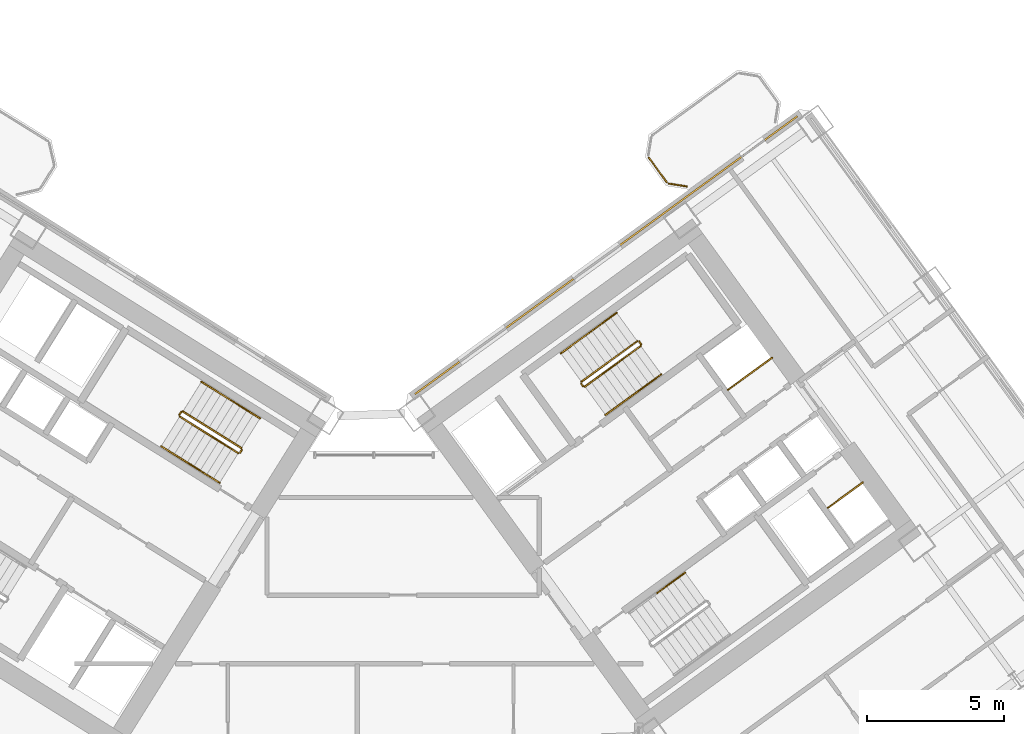
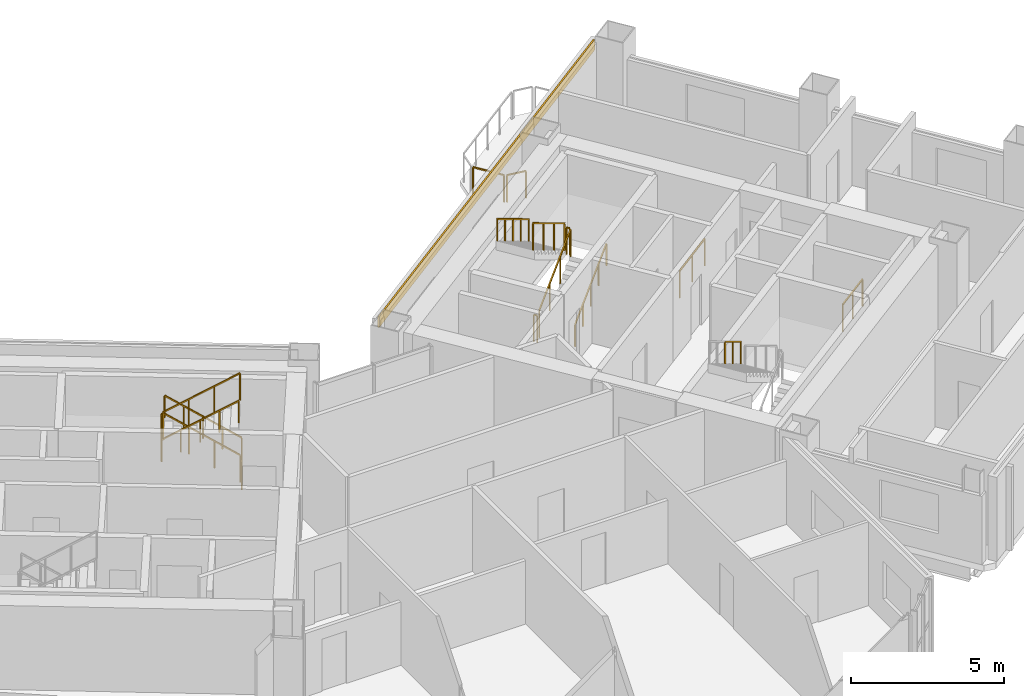
# One storey, part 27 of 28: 21 railings, 1 covering.
"""IFC4 building model written with IfcOpenShell, lengths in metres."""

from ifc_helpers import new_model, si_unit, direction, frame, origin, origin_2d, place, context, subcontext, project, spatial, rectangle, extrude, source, transform, mapped, material, layer, layer_set, type_object, element, save


model = new_model("IFC4")

# Units and contexts
model_context = context("Model", 3, precision=1e-05, world=origin(), true_north=direction((0.0, 1.0)))
body_context = subcontext(model_context, "Body", "Model", "MODEL_VIEW")
ifc_project = project(units=[si_unit("LENGTHUNIT", "METRE"), si_unit("AREAUNIT", "SQUARE_METRE"), si_unit("VOLUMEUNIT", "CUBIC_METRE"), si_unit("PLANEANGLEUNIT", "RADIAN"), si_unit("MASSUNIT", "GRAM", prefix="KILO")], contexts=[model_context])

# Site, building, storey
site_placement = place(None, origin())
site = spatial("IfcSite", under=ifc_project, at=site_placement, CompositionType="ELEMENT")
building_placement = place(site_placement, origin())
building = spatial("IfcBuilding", under=site, at=building_placement, Name="Tlacorven Tower", CompositionType="ELEMENT")
storey_placement = place(building_placement, frame((0.0, 0.0, 27.60009765625)))
storey = spatial("IfcBuildingStorey", under=building, at=storey_placement, Name="L06", CompositionType="ELEMENT", Elevation=27.60009765625)

# Railings
ifc_material_1 = material(Name="Aluminium and painted steel balustrade", Category="steel")
railing_type_1 = type_object("IfcRailingType", Name="RL-GRD-1100", PredefinedType="GUARDRAIL", material=ifc_material_1)
shared_shape_1 = source(origin(), body_context, "Body", "SweptSolid", [
    extrude(rectangle(XDim=0.048095703125, YDim=0.048095703125, at=origin_2d()), frame((0.0, 0.0, 1.076171875), z_axis=(0.808947177504, 0.587881334972, 0.0), x_axis=(-0.587881334972, 0.808947177504, 0.0)), (0.0, 0.0, 1.0), 2.0),
    extrude(rectangle(XDim=0.0419921875, YDim=0.0419921875, at=origin_2d()), origin(), (0.0, 0.0, 1.0), 1.052001953125),
    extrude(rectangle(XDim=0.0419921875, YDim=0.0419921875, at=origin_2d()), frame((0.80908203125, 0.587890625, 0.0)), (0.0, 0.0, 1.0), 1.052001953125),
    extrude(rectangle(XDim=0.0419921875, YDim=0.0419921875, at=origin_2d()), frame((1.617919921875, 1.17578125, 0.0)), (0.0, 0.0, 1.0), 1.052001953125),
])
railing_1_placement = place(storey_placement, frame((55.506103515625, 25.438232421875, 0.0)))
element("IfcRailing", 1, at=railing_1_placement, inside=storey, type_object=railing_type_1, Name="L06 Electrical Riser E Shaft Guard 1", PredefinedType="GUARDRAIL", context=body_context, shape_type="MappedRepresentation", body=[
    mapped(shared_shape_1, transform((0.0, 0.0, 0.0), scale=1.0)),
])
shared_shape_2 = source(origin(), body_context, "Body", "SweptSolid", [
    extrude(rectangle(XDim=0.048095703125, YDim=0.048095703125, at=origin_2d()), frame((0.0, 0.0, 1.076171875), z_axis=(0.809029975545, 0.58776738483, 0.0), x_axis=(-0.58776738483, 0.809029975545, 0.0)), (0.0, 0.0, 1.0), 1.580078125),
    extrude(rectangle(XDim=0.0419921875, YDim=0.0419921875, at=origin_2d()), origin(), (0.0, 0.0, 1.0), 1.052001953125),
    extrude(rectangle(XDim=0.0419921875, YDim=0.0419921875, at=origin_2d()), frame((0.63916015625, 0.46435546875, 0.0)), (0.0, 0.0, 1.0), 1.052001953125),
    extrude(rectangle(XDim=0.0419921875, YDim=0.0419921875, at=origin_2d()), frame((1.2783203125, 0.9287109375, 0.0)), (0.0, 0.0, 1.0), 1.052001953125),
])
railing_2_placement = place(storey_placement, frame((59.160888671875, 21.122314453125, 0.0)))
element("IfcRailing", 2, at=railing_2_placement, inside=storey, type_object=railing_type_1, Name="L06 Smoke Riser E Shaft Guard 1", PredefinedType="GUARDRAIL", context=body_context, shape_type="MappedRepresentation", body=[
    mapped(shared_shape_2, transform((0.0, 0.0, 0.0), scale=1.0)),
])
railing_type_2 = type_object("IfcRailingType", Name="RL-BAL-1100", PredefinedType="BALUSTRADE", material=ifc_material_1)
shared_shape_3 = source(origin(), body_context, "Body", "SweptSolid", [
    extrude(rectangle(XDim=0.048095703125, YDim=0.048095703125, at=origin_2d()), frame((0.0, 0.0, 1.076171875), z_axis=(-0.987718317463, 0.156245081039, 0.0), x_axis=(-0.156245081039, -0.987718317463, 0.0)), (0.0, 0.0, 1.0), 0.66552734375),
    extrude(rectangle(XDim=0.0419921875, YDim=0.0419921875, at=origin_2d()), origin(), (0.0, 0.0, 1.0), 1.052001953125),
    extrude(rectangle(XDim=0.0419921875, YDim=0.0419921875, at=origin_2d()), frame((-0.657470703125, 0.10400390625, 0.0)), (0.0, 0.0, 1.0), 1.052001953125),
])
railing_3_placement = place(storey_placement, frame((54.00341796875, 32.8759765625, 0.0)))
element("IfcRailing", 3, at=railing_3_placement, inside=storey, type_object=railing_type_2, Name="BAL-L06-E-IN Guard Railing 1", PredefinedType="BALUSTRADE", context=body_context, shape_type="MappedRepresentation", body=[
    mapped(shared_shape_3, transform((0.0, 0.0, 0.0), scale=1.0)),
])
shared_shape_4 = source(origin(), body_context, "Body", "SweptSolid", [
    extrude(rectangle(XDim=0.048095703125, YDim=0.048095703125, at=origin_2d()), frame((0.0, 0.0, 1.076171875), z_axis=(-0.587740817519, 0.809049276263, 0.0), x_axis=(-0.809049276263, -0.587740817519, 0.0)), (0.0, 0.0, 1.0), 1.112060546875),
    extrude(rectangle(XDim=0.0419921875, YDim=0.0419921875, at=origin_2d()), origin(), (0.0, 0.0, 1.0), 1.052001953125),
    extrude(rectangle(XDim=0.0419921875, YDim=0.0419921875, at=origin_2d()), frame((-0.653564453125, 0.899658203125, 0.0)), (0.0, 0.0, 1.0), 1.052001953125),
])
railing_4_placement = place(storey_placement, frame((53.26708984375, 33.0283203125, 0.0)))
element("IfcRailing", 4, at=railing_4_placement, inside=storey, type_object=railing_type_2, Name="BAL-L06-E-IN Guard Railing 2", PredefinedType="BALUSTRADE", context=body_context, shape_type="MappedRepresentation", body=[
    mapped(shared_shape_4, transform((0.0, 0.0, 0.0), scale=1.0)),
])

# Covering
ifc_material_2 = material(Name="Precast concrete C45/55", Category="concrete")
ifc_layer = layer(ifc_material_2, 0.06005859375)
ifc_layer_set = layer_set([ifc_layer], Name="Precast concrete C45/55")
covering_type = type_object("IfcCoveringType", Name="CV-CLD-TERC", PredefinedType="CLADDING", material=ifc_layer_set)
shared_shape_5 = source(origin(), body_context, "Body", "SweptSolid", [
    extrude(rectangle(XDim=17.287353515625, YDim=0.06005859375, at=origin_2d()), origin(), (0.0, 0.0, 1.0), 0.419921875),
])
covering_placement = place(storey_placement, frame((51.05224609375, 30.360595703125, 2.929931640625), z_axis=(0.0, 0.0, 1.0), x_axis=(0.809017097486, 0.587785110372, 0.0)))
element("IfcCovering", 5, at=covering_placement, inside=storey, type_object=covering_type, Name="L06 Masonry-Frame Spandrel Cladding 4", PredefinedType="CLADDING", context=body_context, shape_type="MappedRepresentation", body=[
    mapped(shared_shape_5, transform((0.0, 0.0, 0.0), scale=1.0)),
])

# Railings
shared_shape_6 = source(origin(), body_context, "Body", "SweptSolid", [
    extrude(rectangle(XDim=0.048095703125, YDim=0.048095703125, at=origin_2d()), frame((0.0, 0.0, 1.076171875), z_axis=(-0.530546985787, -0.847655529016, 0.0), x_axis=(0.847655529016, -0.530546985787, 0.0)), (0.0, 0.0, 1.0), 0.1201171875),
    extrude(rectangle(XDim=0.0419921875, YDim=0.0419921875, at=origin_2d()), origin(), (0.0, 0.0, 1.0), 1.052001953125),
    extrude(rectangle(XDim=0.0419921875, YDim=0.0419921875, at=origin_2d()), frame((-0.063720703125, -0.101806640625, 0.0)), (0.0, 0.0, 1.0), 1.052001953125),
])
railing_5_placement = place(storey_placement, frame((37.728271484375, 23.24072265625, 0.0)))
element("IfcRailing", 6, at=railing_5_placement, inside=storey, type_object=railing_type_1, Name="L06 ST-W2 stair guard 4", PredefinedType="GUARDRAIL", context=body_context, shape_type="MappedRepresentation", body=[
    mapped(shared_shape_6, transform((0.0, 0.0, 0.0), scale=1.0)),
])
railing_type_3 = type_object("IfcRailingType", Name="RL-HND-0900", PredefinedType="HANDRAIL", material=ifc_material_1)
shared_shape_7 = source(origin(), body_context, "Body", "SweptSolid", [
    extrude(rectangle(XDim=0.048095703125, YDim=0.048095703125, at=origin_2d()), frame((0.0, 0.0, 0.8759765625), z_axis=(-0.713359751793, 0.4457479829, 0.540764828981), x_axis=(-0.529911857636, -0.848052724267, 0.0)), (0.0, 0.0, 1.0), 1.498046875),
    extrude(rectangle(XDim=0.0419921875, YDim=0.0419921875, at=origin_2d()), origin(), (0.0, 0.0, 1.0), 0.851806640625),
    extrude(rectangle(XDim=0.0419921875, YDim=0.0419921875, at=origin_2d()), frame((-0.5341796875, 0.333984375, 0.405029296875)), (0.0, 0.0, 1.0), 0.851806640625),
    extrude(rectangle(XDim=0.0419921875, YDim=0.0419921875, at=origin_2d()), frame((-1.068603515625, 0.667724609375, 0.81005859375)), (0.0, 0.0, 1.0), 0.851806640625),
])
railing_6_placement = place(storey_placement, frame((38.390625, 24.39501953125, 0.179931640625)))
element("IfcRailing", 7, at=railing_6_placement, inside=storey, type_object=railing_type_3, Name="L06 ST-W2 stair handrail 1", PredefinedType="HANDRAIL", context=body_context, shape_type="MappedRepresentation", body=[
    mapped(shared_shape_7, transform((0.0, 0.0, 0.0), scale=1.0)),
])
shared_shape_8 = source(origin(), body_context, "Body", "SweptSolid", [
    extrude(rectangle(XDim=0.048095703125, YDim=0.048095703125, at=origin_2d()), frame((0.0, 0.0, 0.8759765625), z_axis=(0.713359751793, -0.4457479829, 0.540764828981), x_axis=(0.529911857636, 0.848052724267, 0.0)), (0.0, 0.0, 1.0), 1.498046875),
    extrude(rectangle(XDim=0.0419921875, YDim=0.0419921875, at=origin_2d()), origin(), (0.0, 0.0, 1.0), 0.851806640625),
    extrude(rectangle(XDim=0.0419921875, YDim=0.0419921875, at=origin_2d()), frame((0.5341796875, -0.333984375, 0.405029296875)), (0.0, 0.0, 1.0), 0.851806640625),
    extrude(rectangle(XDim=0.0419921875, YDim=0.0419921875, at=origin_2d()), frame((1.068603515625, -0.667724609375, 0.81005859375)), (0.0, 0.0, 1.0), 0.851806640625),
])
railing_7_placement = place(storey_placement, frame((35.848876953125, 22.705078125, 2.789794921875)))
element("IfcRailing", 8, at=railing_7_placement, inside=storey, type_object=railing_type_3, Name="L06 ST-W2 stair handrail 4", PredefinedType="HANDRAIL", context=body_context, shape_type="MappedRepresentation", body=[
    mapped(shared_shape_8, transform((0.0, 0.0, 0.0), scale=1.0)),
])
shared_shape_9 = source(origin(), body_context, "Body", "SweptSolid", [
    extrude(rectangle(XDim=0.048095703125, YDim=0.048095703125, at=origin_2d()), frame((0.0, 0.0, 1.076171875), z_axis=(-0.713351164325, 0.445793541512, 0.540738601085), x_axis=(-0.529955395941, -0.84802551749, 0.0)), (0.0, 0.0, 1.0), 2.99560546875),
    extrude(rectangle(XDim=0.0419921875, YDim=0.0419921875, at=origin_2d()), origin(), (0.0, 0.0, 1.0), 1.052001953125),
    extrude(rectangle(XDim=0.0419921875, YDim=0.0419921875, at=origin_2d()), frame((-0.71240234375, 0.445068359375, 0.5400390625)), (0.0, 0.0, 1.0), 1.052001953125),
    extrude(rectangle(XDim=0.0419921875, YDim=0.0419921875, at=origin_2d()), frame((-1.424560546875, 0.890380859375, 1.079833984375)), (0.0, 0.0, 1.0), 1.052001953125),
    extrude(rectangle(XDim=0.0419921875, YDim=0.0419921875, at=origin_2d()), frame((-2.136962890625, 1.33544921875, 1.619873046875)), (0.0, 0.0, 1.0), 1.052001953125),
])
railing_8_placement = place(storey_placement, frame((37.712158203125, 23.3095703125, 0.179931640625)))
element("IfcRailing", 9, at=railing_8_placement, inside=storey, type_object=railing_type_1, Name="L06 ST-W2 stair guard 1", PredefinedType="GUARDRAIL", context=body_context, shape_type="MappedRepresentation", body=[
    mapped(shared_shape_9, transform((0.0, 0.0, 0.0), scale=1.0)),
])
shared_shape_10 = source(origin(), body_context, "Body", "SweptSolid", [
    extrude(rectangle(XDim=0.048095703125, YDim=0.048095703125, at=origin_2d()), frame((0.0, 0.0, 0.8759765625), z_axis=(-0.713422621445, 0.445787267455, 0.540649494022), x_axis=(-0.529911857636, -0.848052724267, 0.0)), (0.0, 0.0, 1.0), 1.497802734375),
    extrude(rectangle(XDim=0.0419921875, YDim=0.0419921875, at=origin_2d()), origin(), (0.0, 0.0, 1.0), 0.851806640625),
    extrude(rectangle(XDim=0.0419921875, YDim=0.0419921875, at=origin_2d()), frame((-0.5341796875, 0.333984375, 0.40478515625)), (0.0, 0.0, 1.0), 0.851806640625),
    extrude(rectangle(XDim=0.0419921875, YDim=0.0419921875, at=origin_2d()), frame((-1.068603515625, 0.667724609375, 0.809814453125)), (0.0, 0.0, 1.0), 0.851806640625),
])
railing_9_placement = place(storey_placement, frame((37.322021484375, 25.062744140625, 0.989990234375)))
element("IfcRailing", 10, at=railing_9_placement, inside=storey, type_object=railing_type_3, Name="L06 ST-W2 stair handrail 2", PredefinedType="HANDRAIL", context=body_context, shape_type="MappedRepresentation", body=[
    mapped(shared_shape_10, transform((0.0, 0.0, 0.0), scale=1.0)),
])
shared_shape_11 = source(origin(), body_context, "Body", "SweptSolid", [
    extrude(rectangle(XDim=0.048095703125, YDim=0.048095703125, at=origin_2d()), frame((0.0, 0.0, 0.8759765625), z_axis=(0.713422621445, -0.445787267455, 0.540649494022), x_axis=(0.529911857636, 0.848052724267, 0.0)), (0.0, 0.0, 1.0), 1.497802734375),
    extrude(rectangle(XDim=0.0419921875, YDim=0.0419921875, at=origin_2d()), origin(), (0.0, 0.0, 1.0), 0.851806640625),
    extrude(rectangle(XDim=0.0419921875, YDim=0.0419921875, at=origin_2d()), frame((0.5341796875, -0.333984375, 0.40478515625)), (0.0, 0.0, 1.0), 0.851806640625),
    extrude(rectangle(XDim=0.0419921875, YDim=0.0419921875, at=origin_2d()), frame((1.068603515625, -0.667724609375, 0.809814453125)), (0.0, 0.0, 1.0), 0.851806640625),
])
railing_10_placement = place(storey_placement, frame((34.7802734375, 23.372802734375, 1.97998046875)))
element("IfcRailing", 11, at=railing_10_placement, inside=storey, type_object=railing_type_3, Name="L06 ST-W2 stair handrail 3", PredefinedType="HANDRAIL", context=body_context, shape_type="MappedRepresentation", body=[
    mapped(shared_shape_11, transform((0.0, 0.0, 0.0), scale=1.0)),
])
shared_shape_12 = source(origin(), body_context, "Body", "SweptSolid", [
    extrude(rectangle(XDim=0.048095703125, YDim=0.048095703125, at=origin_2d()), frame((0.0, 0.0, 1.076171875), z_axis=(-0.531462422766, -0.847081869236, 0.0), x_axis=(0.847081869236, -0.531462422766, 0.0)), (0.0, 0.0, 1.0), 0.119873046875),
    extrude(rectangle(XDim=0.0419921875, YDim=0.0419921875, at=origin_2d()), origin(), (0.0, 0.0, 1.0), 1.052001953125),
    extrude(rectangle(XDim=0.0419921875, YDim=0.0419921875, at=origin_2d()), frame((-0.063720703125, -0.1015625, 0.0)), (0.0, 0.0, 1.0), 1.052001953125),
])
railing_11_placement = place(storey_placement, frame((35.50634765625, 24.62890625, 1.7998046875)))
element("IfcRailing", 12, at=railing_11_placement, inside=storey, type_object=railing_type_1, Name="L06 ST-W2 stair guard 2", PredefinedType="GUARDRAIL", context=body_context, shape_type="MappedRepresentation", body=[
    mapped(shared_shape_12, transform((0.0, 0.0, 0.0), scale=1.0)),
])
shared_shape_13 = source(origin(), body_context, "Body", "SweptSolid", [
    extrude(rectangle(XDim=0.048095703125, YDim=0.048095703125, at=origin_2d()), frame((0.0, 0.0, 1.076171875), z_axis=(0.713417101326, -0.445702322042, 0.540726806865), x_axis=(0.52984217967, 0.848096259066, 0.0)), (0.0, 0.0, 1.0), 2.995849609375),
    extrude(rectangle(XDim=0.0419921875, YDim=0.0419921875, at=origin_2d()), origin(), (0.0, 0.0, 1.0), 1.052001953125),
    extrude(rectangle(XDim=0.0419921875, YDim=0.0419921875, at=origin_2d()), frame((0.71240234375, -0.445068359375, 0.5400390625)), (0.0, 0.0, 1.0), 1.052001953125),
    extrude(rectangle(XDim=0.0419921875, YDim=0.0419921875, at=origin_2d()), frame((1.4248046875, -0.89013671875, 1.079833984375)), (0.0, 0.0, 1.0), 1.052001953125),
    extrude(rectangle(XDim=0.0419921875, YDim=0.0419921875, at=origin_2d()), frame((2.13720703125, -1.335205078125, 1.619873046875)), (0.0, 0.0, 1.0), 1.052001953125),
])
railing_12_placement = place(storey_placement, frame((35.45849609375, 24.458251953125, 1.97998046875)))
element("IfcRailing", 13, at=railing_12_placement, inside=storey, type_object=railing_type_1, Name="L06 ST-W2 stair guard 3", PredefinedType="GUARDRAIL", context=body_context, shape_type="MappedRepresentation", body=[
    mapped(shared_shape_13, transform((0.0, 0.0, 0.0), scale=1.0)),
])
shared_shape_14 = source(origin(), body_context, "Body", "SweptSolid", [
    extrude(rectangle(XDim=0.048095703125, YDim=0.048095703125, at=origin_2d()), frame((0.0, 0.0, 1.076171875), z_axis=(-0.587201422542, 0.809440849824, 0.0), x_axis=(-0.809440849824, -0.587201422542, 0.0)), (0.0, 0.0, 1.0), 0.11962890625),
    extrude(rectangle(XDim=0.0419921875, YDim=0.0419921875, at=origin_2d()), origin(), (0.0, 0.0, 1.0), 1.052001953125),
    extrude(rectangle(XDim=0.0419921875, YDim=0.0419921875, at=origin_2d()), frame((-0.0703125, 0.096923828125, 0.0)), (0.0, 0.0, 1.0), 1.052001953125),
])
for number, where, name in (
    (14, (52.326904296875, 27.10888671875, 1.7998046875), "L06 ST-E1 stair guard 2"),
    (15, (50.207275390625, 25.56884765625, 0.0), "L06 ST-E1 stair guard 4"),
):
    element("IfcRailing", number, at=place(storey_placement, frame(where)), inside=storey, type_object=railing_type_1, Name=name, PredefinedType="GUARDRAIL", context=body_context, shape_type="MappedRepresentation", body=[
        mapped(shared_shape_14, transform((0.0, 0.0, 0.0), scale=1.0)),
    ])
shared_shape_15 = source(origin(), body_context, "Body", "SweptSolid", [
    extrude(rectangle(XDim=0.048095703125, YDim=0.048095703125, at=origin_2d()), frame((0.0, 0.0, 0.8759765625), z_axis=(0.680516055757, 0.494372502302, 0.540826891737), x_axis=(-0.587745292299, 0.809046025502, 0.0)), (0.0, 0.0, 1.0), 1.497802734375),
    extrude(rectangle(XDim=0.0419921875, YDim=0.0419921875, at=origin_2d()), origin(), (0.0, 0.0, 1.0), 0.851806640625),
    extrude(rectangle(XDim=0.0419921875, YDim=0.0419921875, at=origin_2d()), frame((0.509765625, 0.3701171875, 0.405029296875)), (0.0, 0.0, 1.0), 0.851806640625),
    extrude(rectangle(XDim=0.0419921875, YDim=0.0419921875, at=origin_2d()), frame((1.019287109375, 0.740478515625, 0.81005859375)), (0.0, 0.0, 1.0), 0.851806640625),
])
railing_13_placement = place(storey_placement, frame((51.029541015625, 24.522216796875, 0.179931640625)))
element("IfcRailing", 16, at=railing_13_placement, inside=storey, type_object=railing_type_3, Name="L06 ST-E1 stair handrail 1", PredefinedType="HANDRAIL", context=body_context, shape_type="MappedRepresentation", body=[
    mapped(shared_shape_15, transform((0.0, 0.0, 0.0), scale=1.0)),
])
shared_shape_16 = source(origin(), body_context, "Body", "SweptSolid", [
    extrude(rectangle(XDim=0.048095703125, YDim=0.048095703125, at=origin_2d()), frame((0.0, 0.0, 0.8759765625), z_axis=(-0.680461216233, -0.494495647917, 0.540783309093), x_axis=(0.587872112667, -0.808953879494, 0.0)), (0.0, 0.0, 1.0), 1.498046875),
    extrude(rectangle(XDim=0.0419921875, YDim=0.0419921875, at=origin_2d()), origin(), (0.0, 0.0, 1.0), 0.851806640625),
    extrude(rectangle(XDim=0.0419921875, YDim=0.0419921875, at=origin_2d()), frame((-0.509765625, -0.370361328125, 0.405029296875)), (0.0, 0.0, 1.0), 0.851806640625),
    extrude(rectangle(XDim=0.0419921875, YDim=0.0419921875, at=origin_2d()), frame((-1.019287109375, -0.74072265625, 0.81005859375)), (0.0, 0.0, 1.0), 0.851806640625),
])
railing_14_placement = place(storey_placement, frame((50.414794921875, 27.511962890625, 2.789794921875)))
element("IfcRailing", 17, at=railing_14_placement, inside=storey, type_object=railing_type_3, Name="L06 ST-E1 stair handrail 4", PredefinedType="HANDRAIL", context=body_context, shape_type="MappedRepresentation", body=[
    mapped(shared_shape_16, transform((0.0, 0.0, 0.0), scale=1.0)),
])
shared_shape_17 = source(origin(), body_context, "Body", "SweptSolid", [
    extrude(rectangle(XDim=0.048095703125, YDim=0.048095703125, at=origin_2d()), frame((0.0, 0.0, 1.076171875), z_axis=(0.680518627673, 0.494455869951, 0.540747436481), x_axis=(-0.5878087079, 0.808999952359, 0.0)), (0.0, 0.0, 1.0), 2.99560546875),
    extrude(rectangle(XDim=0.0419921875, YDim=0.0419921875, at=origin_2d()), origin(), (0.0, 0.0, 1.0), 1.052001953125),
    extrude(rectangle(XDim=0.0419921875, YDim=0.0419921875, at=origin_2d()), frame((0.679443359375, 0.49365234375, 0.5400390625)), (0.0, 0.0, 1.0), 1.052001953125),
    extrude(rectangle(XDim=0.0419921875, YDim=0.0419921875, at=origin_2d()), frame((1.359130859375, 0.987548828125, 1.079833984375)), (0.0, 0.0, 1.0), 1.052001953125),
    extrude(rectangle(XDim=0.0419921875, YDim=0.0419921875, at=origin_2d()), frame((2.03857421875, 1.481201171875, 1.619873046875)), (0.0, 0.0, 1.0), 1.052001953125),
])
railing_15_placement = place(storey_placement, frame((50.27734375, 25.557861328125, 0.179931640625)))
element("IfcRailing", 18, at=railing_15_placement, inside=storey, type_object=railing_type_1, Name="L06 ST-E1 stair guard 1", PredefinedType="GUARDRAIL", context=body_context, shape_type="MappedRepresentation", body=[
    mapped(shared_shape_17, transform((0.0, 0.0, 0.0), scale=1.0)),
])
shared_shape_18 = source(origin(), body_context, "Body", "SweptSolid", [
    extrude(rectangle(XDim=0.048095703125, YDim=0.048095703125, at=origin_2d()), frame((0.0, 0.0, 1.076171875), z_axis=(-0.680518627673, -0.494455869951, 0.540747436481), x_axis=(0.5878087079, -0.808999952359, 0.0)), (0.0, 0.0, 1.0), 2.99560546875),
    extrude(rectangle(XDim=0.0419921875, YDim=0.0419921875, at=origin_2d()), origin(), (0.0, 0.0, 1.0), 1.052001953125),
    extrude(rectangle(XDim=0.0419921875, YDim=0.0419921875, at=origin_2d()), frame((-0.679443359375, -0.49365234375, 0.5400390625)), (0.0, 0.0, 1.0), 1.052001953125),
    extrude(rectangle(XDim=0.0419921875, YDim=0.0419921875, at=origin_2d()), frame((-1.359130859375, -0.987548828125, 1.079833984375)), (0.0, 0.0, 1.0), 1.052001953125),
    extrude(rectangle(XDim=0.0419921875, YDim=0.0419921875, at=origin_2d()), frame((-2.03857421875, -1.481201171875, 1.619873046875)), (0.0, 0.0, 1.0), 1.052001953125),
])
railing_16_placement = place(storey_placement, frame((52.1865234375, 27.217041015625, 1.97998046875)))
element("IfcRailing", 19, at=railing_16_placement, inside=storey, type_object=railing_type_1, Name="L06 ST-E1 stair guard 3", PredefinedType="GUARDRAIL", context=body_context, shape_type="MappedRepresentation", body=[
    mapped(shared_shape_18, transform((0.0, 0.0, 0.0), scale=1.0)),
])
shared_shape_19 = source(origin(), body_context, "Body", "SweptSolid", [
    extrude(rectangle(XDim=0.048095703125, YDim=0.048095703125, at=origin_2d()), frame((0.0, 0.0, 0.8759765625), z_axis=(0.680608688748, 0.494484377792, 0.540608003012), x_axis=(-0.587779977844, 0.80902082646, 0.0)), (0.0, 0.0, 1.0), 1.498046875),
    extrude(rectangle(XDim=0.0419921875, YDim=0.0419921875, at=origin_2d()), origin(), (0.0, 0.0, 1.0), 0.851806640625),
    extrude(rectangle(XDim=0.0419921875, YDim=0.0419921875, at=origin_2d()), frame((0.509765625, 0.370361328125, 0.40478515625)), (0.0, 0.0, 1.0), 0.851806640625),
    extrude(rectangle(XDim=0.0419921875, YDim=0.0419921875, at=origin_2d()), frame((1.01953125, 0.74072265625, 0.809814453125)), (0.0, 0.0, 1.0), 0.851806640625),
])
railing_17_placement = place(storey_placement, frame((52.048828125, 25.2626953125, 0.989990234375)))
element("IfcRailing", 20, at=railing_17_placement, inside=storey, type_object=railing_type_3, Name="L06 ST-E1 stair handrail 2", PredefinedType="HANDRAIL", context=body_context, shape_type="MappedRepresentation", body=[
    mapped(shared_shape_19, transform((0.0, 0.0, 0.0), scale=1.0)),
])
shared_shape_20 = source(origin(), body_context, "Body", "SweptSolid", [
    extrude(rectangle(XDim=0.048095703125, YDim=0.048095703125, at=origin_2d()), frame((0.0, 0.0, 0.8759765625), z_axis=(-0.680663537655, -0.494361233168, 0.540651569541), x_axis=(0.587653156371, -0.809112951205, 0.0)), (0.0, 0.0, 1.0), 1.497802734375),
    extrude(rectangle(XDim=0.0419921875, YDim=0.0419921875, at=origin_2d()), origin(), (0.0, 0.0, 1.0), 0.851806640625),
    extrude(rectangle(XDim=0.0419921875, YDim=0.0419921875, at=origin_2d()), frame((-0.509765625, -0.3701171875, 0.40478515625)), (0.0, 0.0, 1.0), 0.851806640625),
    extrude(rectangle(XDim=0.0419921875, YDim=0.0419921875, at=origin_2d()), frame((-1.01953125, -0.740478515625, 0.809814453125)), (0.0, 0.0, 1.0), 0.851806640625),
])
railing_18_placement = place(storey_placement, frame((51.434326171875, 28.25244140625, 1.97998046875)))
element("IfcRailing", 21, at=railing_18_placement, inside=storey, type_object=railing_type_3, Name="L06 ST-E1 stair handrail 3", PredefinedType="HANDRAIL", context=body_context, shape_type="MappedRepresentation", body=[
    mapped(shared_shape_20, transform((0.0, 0.0, 0.0), scale=1.0)),
])
shared_shape_21 = source(origin(), body_context, "Body", "SweptSolid", [
    extrude(rectangle(XDim=0.048095703125, YDim=0.048095703125, at=origin_2d()), frame((0.0, 0.0, 0.8759765625), z_axis=(-0.680576044605, -0.494416082224, 0.54071155448), x_axis=(0.587745292299, -0.809046025502, 0.0)), (0.0, 0.0, 1.0), 1.497802734375),
    extrude(rectangle(XDim=0.0419921875, YDim=0.0419921875, at=origin_2d()), origin(), (0.0, 0.0, 1.0), 0.851806640625),
    extrude(rectangle(XDim=0.0419921875, YDim=0.0419921875, at=origin_2d()), frame((-0.509765625, -0.3701171875, 0.40478515625)), (0.0, 0.0, 1.0), 0.851806640625),
    extrude(rectangle(XDim=0.0419921875, YDim=0.0419921875, at=origin_2d()), frame((-1.019287109375, -0.740478515625, 0.809814453125)), (0.0, 0.0, 1.0), 0.851806640625),
])
railing_19_placement = place(storey_placement, frame((53.938232421875, 18.749267578125, 1.97998046875)))
element("IfcRailing", 22, at=railing_19_placement, inside=storey, type_object=railing_type_3, Name="L06 ST-E2 stair handrail 3", PredefinedType="HANDRAIL", context=body_context, shape_type="MappedRepresentation", body=[
    mapped(shared_shape_21, transform((0.0, 0.0, 0.0), scale=1.0)),
])

save(model, "model.ifc")
